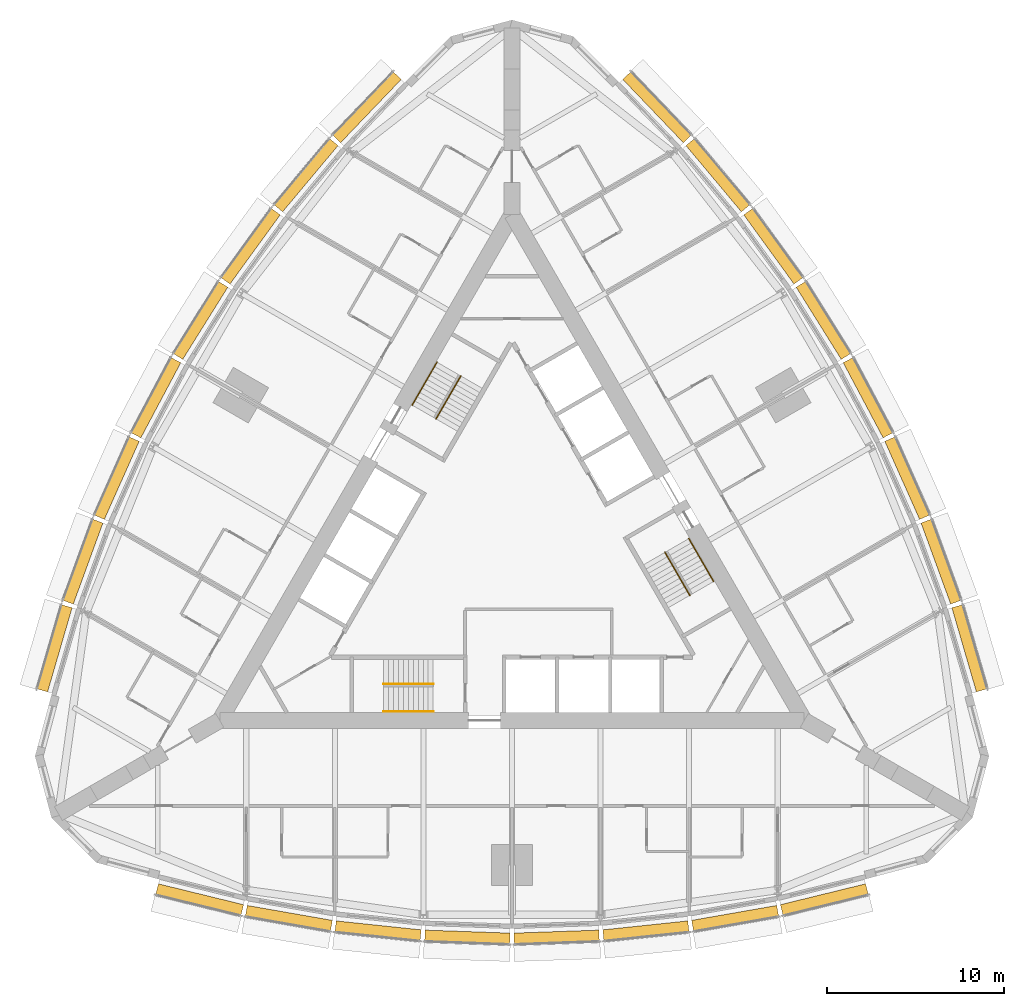
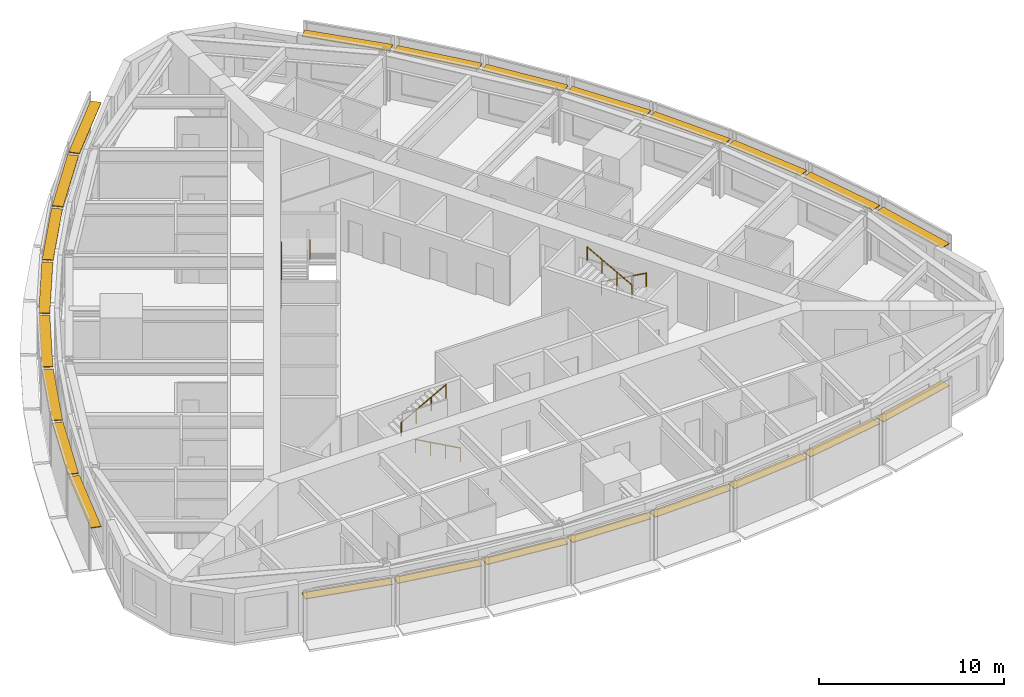
# One storey, part 14 of 14: 24 shading devices, 6 railings.
"""IFC4 building model written with IfcOpenShell, lengths in metres."""

from ifc_helpers import new_model, si_unit, direction, frame, origin, origin_2d, place, context, subcontext, project, spatial, rectangle, circle, extrude, material, type_object, element, save


model = new_model("IFC4")

# Units and contexts
model_context = context("Model", 3, precision=1e-05, world=origin(), true_north=direction((0.0, 1.0)))
body_context = subcontext(model_context, "Body", "Model", "MODEL_VIEW")
ifc_project = project(units=[si_unit("LENGTHUNIT", "METRE"), si_unit("AREAUNIT", "SQUARE_METRE"), si_unit("VOLUMEUNIT", "CUBIC_METRE"), si_unit("PLANEANGLEUNIT", "RADIAN"), si_unit("MASSUNIT", "GRAM", prefix="KILO")], contexts=[model_context])

# Site, building, storey
site_placement = place(None, origin())
site = spatial("IfcSite", under=ifc_project, at=site_placement, CompositionType="ELEMENT")
building_placement = place(site_placement, origin())
building = spatial("IfcBuilding", under=site, at=building_placement, Name="Trikona Tower", CompositionType="ELEMENT")
storey_placement = place(building_placement, frame((0.0, 0.0, 155.5)))
storey = spatial("IfcBuildingStorey", under=building, at=storey_placement, Name="L41", CompositionType="ELEMENT", Elevation=155.5)

# Shading devices
ifc_material_1 = material(Name="Aluminium louvre blade, pale anodised", Category="aluminium")
shading_device_type = type_object("IfcShadingDeviceType", Name="Cavity louvre 600", PredefinedType="USERDEFINED", material=ifc_material_1)
shading_device_1_placement = place(storey_placement, frame((-17.63330078125, -19.631591796875, 2.77490234375), z_axis=(0.0, 0.0, 1.0), x_axis=(0.971274411564, -0.237962218516, 0.0)))
element("IfcShadingDevice", 1, at=shading_device_1_placement, inside=storey, type_object=shading_device_type, Name="Cavity louvre L41-00", ObjectType="LOUVRE", PredefinedType="USERDEFINED", context=body_context, shape_type="SweptSolid", body=[
    extrude(rectangle(XDim=4.947998046875, YDim=0.60009765625, at=origin_2d()), origin(), (0.0, 0.0, 1.0), 0.050048828125),
])
shading_device_2_placement = place(storey_placement, frame((-12.596435546875, -20.689208984375, 2.77490234375), z_axis=(0.0, 0.0, 1.0), x_axis=(0.985030604067, -0.172379549401, 0.0)))
element("IfcShadingDevice", 2, at=shading_device_2_placement, inside=storey, type_object=shading_device_type, Name="Cavity louvre L41-01", ObjectType="LOUVRE", PredefinedType="USERDEFINED", context=body_context, shape_type="SweptSolid", body=[
    extrude(rectangle(XDim=4.8759765625, YDim=0.60009765625, at=origin_2d()), origin(), (0.0, 0.0, 1.0), 0.050048828125),
])
shading_device_3_placement = place(storey_placement, frame((-7.55859375, -21.39453125, 2.77490234375), z_axis=(0.0, 0.0, 1.0), x_axis=(0.994532653854, -0.104426052392, 0.0)))
element("IfcShadingDevice", 3, at=shading_device_3_placement, inside=storey, type_object=shading_device_type, Name="Cavity louvre L41-02", ObjectType="LOUVRE", PredefinedType="USERDEFINED", context=body_context, shape_type="SweptSolid", body=[
    extrude(rectangle(XDim=4.827392578125, YDim=0.60009765625, at=origin_2d()), origin(), (0.0, 0.0, 1.0), 0.050048828125),
])
for number, where, z_axis, x_axis, name in (
    (4, (-2.51953125, -21.747314453125, 2.77490234375), (0.0, 0.0, 1.0), (0.999388082937, -0.034977988567, 0.0), "Cavity louvre L41-03"),
    (5, (2.51953125, -21.747314453125, 2.77490234375), (0.0, 0.0, 1.0), (0.999388082937, 0.034977988567, 0.0), "Cavity louvre L41-04"),
):
    element("IfcShadingDevice", number, at=place(storey_placement, frame(where, z_axis=z_axis, x_axis=x_axis)), inside=storey, type_object=shading_device_type, Name=name, ObjectType="LOUVRE", PredefinedType="USERDEFINED", context=body_context, shape_type="SweptSolid", body=[
        extrude(rectangle(XDim=4.802978515625, YDim=0.60009765625, at=origin_2d()), origin(), (0.0, 0.0, 1.0), 0.050048828125),
    ])
shading_device_4_placement = place(storey_placement, frame((7.55859375, -21.39453125, 2.77490234375), z_axis=(0.0, 0.0, 1.0), x_axis=(0.994532653854, 0.104426052392, 0.0)))
element("IfcShadingDevice", 6, at=shading_device_4_placement, inside=storey, type_object=shading_device_type, Name="Cavity louvre L41-05", ObjectType="LOUVRE", PredefinedType="USERDEFINED", context=body_context, shape_type="SweptSolid", body=[
    extrude(rectangle(XDim=4.827392578125, YDim=0.60009765625, at=origin_2d()), origin(), (0.0, 0.0, 1.0), 0.050048828125),
])
shading_device_5_placement = place(storey_placement, frame((12.596435546875, -20.689208984375, 2.77490234375), z_axis=(0.0, 0.0, 1.0), x_axis=(0.985030604067, 0.172379549401, 0.0)))
element("IfcShadingDevice", 7, at=shading_device_5_placement, inside=storey, type_object=shading_device_type, Name="Cavity louvre L41-06", ObjectType="LOUVRE", PredefinedType="USERDEFINED", context=body_context, shape_type="SweptSolid", body=[
    extrude(rectangle(XDim=4.8759765625, YDim=0.60009765625, at=origin_2d()), origin(), (0.0, 0.0, 1.0), 0.050048828125),
])
shading_device_6_placement = place(storey_placement, frame((17.63330078125, -19.631591796875, 2.77490234375), z_axis=(0.0, 0.0, 1.0), x_axis=(0.971274411564, 0.237962218516, 0.0)))
element("IfcShadingDevice", 8, at=shading_device_6_placement, inside=storey, type_object=shading_device_type, Name="Cavity louvre L41-07", ObjectType="LOUVRE", PredefinedType="USERDEFINED", context=body_context, shape_type="SweptSolid", body=[
    extrude(rectangle(XDim=4.947998046875, YDim=0.60009765625, at=origin_2d()), origin(), (0.0, 0.0, 1.0), 0.050048828125),
])
shading_device_7_placement = place(storey_placement, frame((25.818115234375, -5.455078125, 2.77490234375), z_axis=(0.0, 0.0, 1.0), x_axis=(-0.279554203664, 0.960129911634, 0.0)))
element("IfcShadingDevice", 9, at=shading_device_7_placement, inside=storey, type_object=shading_device_type, Name="Cavity louvre L41-12", ObjectType="LOUVRE", PredefinedType="USERDEFINED", context=body_context, shape_type="SweptSolid", body=[
    extrude(rectangle(XDim=4.94775390625, YDim=0.60009765625, at=origin_2d()), origin(), (0.0, 0.0, 1.0), 0.050048828125),
])
shading_device_8_placement = place(storey_placement, frame((24.2158203125, -0.564208984375, 2.77490234375), z_axis=(0.0, 0.0, 1.0), x_axis=(-0.343220397324, 0.939254895575, 0.0)))
element("IfcShadingDevice", 10, at=shading_device_8_placement, inside=storey, type_object=shading_device_type, Name="Cavity louvre L41-13", ObjectType="LOUVRE", PredefinedType="USERDEFINED", context=body_context, shape_type="SweptSolid", body=[
    extrude(rectangle(XDim=4.8759765625, YDim=0.60009765625, at=origin_2d()), origin(), (0.0, 0.0, 1.0), 0.050048828125),
])
shading_device_9_placement = place(storey_placement, frame((22.3076171875, 4.151611328125, 2.77490234375), z_axis=(0.0, 0.0, 1.0), x_axis=(-0.406843467615, 0.913497888809, 0.0)))
element("IfcShadingDevice", 11, at=shading_device_9_placement, inside=storey, type_object=shading_device_type, Name="Cavity louvre L41-14", ObjectType="LOUVRE", PredefinedType="USERDEFINED", context=body_context, shape_type="SweptSolid", body=[
    extrude(rectangle(XDim=4.827392578125, YDim=0.60009765625, at=origin_2d()), origin(), (0.0, 0.0, 1.0), 0.050048828125),
])
for number, where, z_axis, x_axis, name in (
    (12, (20.093505859375, 8.691650390625, 2.77490234375), (0.0, 0.0, 1.0), (-0.469397591494, 0.882986920118, 0.0), "Cavity louvre L41-15"),
    (13, (17.573974609375, 13.0556640625, 2.77490234375), (0.0, 0.0, 1.0), (-0.529994748414, 0.848000923734, 0.0), "Cavity louvre L41-16"),
):
    element("IfcShadingDevice", number, at=place(storey_placement, frame(where, z_axis=z_axis, x_axis=x_axis)), inside=storey, type_object=shading_device_type, Name=name, ObjectType="LOUVRE", PredefinedType="USERDEFINED", context=body_context, shape_type="SweptSolid", body=[
        extrude(rectangle(XDim=4.802978515625, YDim=0.60009765625, at=origin_2d()), origin(), (0.0, 0.0, 1.0), 0.050048828125),
    ])
shading_device_10_placement = place(storey_placement, frame((14.7490234375, 17.2431640625, 2.77490234375), z_axis=(0.0, 0.0, 1.0), x_axis=(-0.587686407834, 0.809088799853, 0.0)))
element("IfcShadingDevice", 14, at=shading_device_10_placement, inside=storey, type_object=shading_device_type, Name="Cavity louvre L41-17", ObjectType="LOUVRE", PredefinedType="USERDEFINED", context=body_context, shape_type="SweptSolid", body=[
    extrude(rectangle(XDim=4.827392578125, YDim=0.60009765625, at=origin_2d()), origin(), (0.0, 0.0, 1.0), 0.050048828125),
])
shading_device_11_placement = place(storey_placement, frame((11.619140625, 21.253662109375, 2.77490234375), z_axis=(0.0, 0.0, 1.0), x_axis=(-0.641807063101, 0.766866151133, 0.0)))
element("IfcShadingDevice", 15, at=shading_device_11_placement, inside=storey, type_object=shading_device_type, Name="Cavity louvre L41-18", ObjectType="LOUVRE", PredefinedType="USERDEFINED", context=body_context, shape_type="SweptSolid", body=[
    extrude(rectangle(XDim=4.8759765625, YDim=0.60009765625, at=origin_2d()), origin(), (0.0, 0.0, 1.0), 0.050048828125),
])
for number, where, z_axis, x_axis, name in (
    (16, (8.184814453125, 25.086669921875, 2.77490234375), (0.0, 0.0, 1.0), (-0.691723573819, 0.722162376078, 0.0), "Cavity louvre L41-19"),
    (17, (-8.184814453125, 25.086669921875, 2.77490234375), (0.0, 0.0, 1.0), (-0.691723573819, -0.722162376078, 0.0), "Cavity louvre L41-24"),
):
    element("IfcShadingDevice", number, at=place(storey_placement, frame(where, z_axis=z_axis, x_axis=x_axis)), inside=storey, type_object=shading_device_type, Name=name, ObjectType="LOUVRE", PredefinedType="USERDEFINED", context=body_context, shape_type="SweptSolid", body=[
        extrude(rectangle(XDim=4.947998046875, YDim=0.60009765625, at=origin_2d()), origin(), (0.0, 0.0, 1.0), 0.050048828125),
    ])
shading_device_12_placement = place(storey_placement, frame((-11.619140625, 21.253662109375, 2.77490234375), z_axis=(0.0, 0.0, 1.0), x_axis=(-0.641807063101, -0.766866151133, 0.0)))
element("IfcShadingDevice", 18, at=shading_device_12_placement, inside=storey, type_object=shading_device_type, Name="Cavity louvre L41-25", ObjectType="LOUVRE", PredefinedType="USERDEFINED", context=body_context, shape_type="SweptSolid", body=[
    extrude(rectangle(XDim=4.8759765625, YDim=0.60009765625, at=origin_2d()), origin(), (0.0, 0.0, 1.0), 0.050048828125),
])
shading_device_13_placement = place(storey_placement, frame((-14.7490234375, 17.2431640625, 2.77490234375), z_axis=(0.0, 0.0, 1.0), x_axis=(-0.587686407834, -0.809088799853, 0.0)))
element("IfcShadingDevice", 19, at=shading_device_13_placement, inside=storey, type_object=shading_device_type, Name="Cavity louvre L41-26", ObjectType="LOUVRE", PredefinedType="USERDEFINED", context=body_context, shape_type="SweptSolid", body=[
    extrude(rectangle(XDim=4.827392578125, YDim=0.60009765625, at=origin_2d()), origin(), (0.0, 0.0, 1.0), 0.050048828125),
])
for number, where, z_axis, x_axis, name in (
    (20, (-17.573974609375, 13.0556640625, 2.77490234375), (0.0, 0.0, 1.0), (-0.529994748414, -0.848000923734, 0.0), "Cavity louvre L41-27"),
    (21, (-20.093505859375, 8.691650390625, 2.77490234375), (0.0, 0.0, 1.0), (-0.469397591494, -0.882986920118, 0.0), "Cavity louvre L41-28"),
):
    element("IfcShadingDevice", number, at=place(storey_placement, frame(where, z_axis=z_axis, x_axis=x_axis)), inside=storey, type_object=shading_device_type, Name=name, ObjectType="LOUVRE", PredefinedType="USERDEFINED", context=body_context, shape_type="SweptSolid", body=[
        extrude(rectangle(XDim=4.802978515625, YDim=0.60009765625, at=origin_2d()), origin(), (0.0, 0.0, 1.0), 0.050048828125),
    ])
shading_device_14_placement = place(storey_placement, frame((-22.3076171875, 4.151611328125, 2.77490234375), z_axis=(0.0, 0.0, 1.0), x_axis=(-0.406843467615, -0.913497888809, 0.0)))
element("IfcShadingDevice", 22, at=shading_device_14_placement, inside=storey, type_object=shading_device_type, Name="Cavity louvre L41-29", ObjectType="LOUVRE", PredefinedType="USERDEFINED", context=body_context, shape_type="SweptSolid", body=[
    extrude(rectangle(XDim=4.827392578125, YDim=0.60009765625, at=origin_2d()), origin(), (0.0, 0.0, 1.0), 0.050048828125),
])
shading_device_15_placement = place(storey_placement, frame((-24.2158203125, -0.564208984375, 2.77490234375), z_axis=(0.0, 0.0, 1.0), x_axis=(-0.343220397324, -0.939254895575, 0.0)))
element("IfcShadingDevice", 23, at=shading_device_15_placement, inside=storey, type_object=shading_device_type, Name="Cavity louvre L41-30", ObjectType="LOUVRE", PredefinedType="USERDEFINED", context=body_context, shape_type="SweptSolid", body=[
    extrude(rectangle(XDim=4.8759765625, YDim=0.60009765625, at=origin_2d()), origin(), (0.0, 0.0, 1.0), 0.050048828125),
])
shading_device_16_placement = place(storey_placement, frame((-25.818115234375, -5.455078125, 2.77490234375), z_axis=(0.0, 0.0, 1.0), x_axis=(-0.279554203664, -0.960129911634, 0.0)))
element("IfcShadingDevice", 24, at=shading_device_16_placement, inside=storey, type_object=shading_device_type, Name="Cavity louvre L41-31", ObjectType="LOUVRE", PredefinedType="USERDEFINED", context=body_context, shape_type="SweptSolid", body=[
    extrude(rectangle(XDim=4.94775390625, YDim=0.60009765625, at=origin_2d()), origin(), (0.0, 0.0, 1.0), 0.050048828125),
])

# Railings
ifc_material_2 = material(Name="Stainless steel handrail", Category="steel")
railing_type = type_object("IfcRailingType", Name="Stair handrail", PredefinedType="HANDRAIL", material=ifc_material_2)
railing_1_placement = place(storey_placement, frame((-4.449951171875, -9.016357421875, 0.154541015625)))
element("IfcRailing", 25, at=railing_1_placement, inside=storey, type_object=railing_type, Name="Stair handrail A L41 1", PredefinedType="HANDRAIL", context=body_context, shape_type="SweptSolid", body=[
    extrude(circle(Radius=0.02392578125, at=origin_2d()), frame((0.0, 0.0, 0.8759765625), z_axis=(-0.875504190374, 0.0, 0.483210526207), x_axis=(0.0, -1.0, 0.0)), (0.0, 0.0, 1.0), 3.1982421875),
    extrude(circle(Radius=0.02099609375, at=origin_2d()), origin(), (0.0, 0.0, 1.0), 0.851806640625),
    extrude(circle(Radius=0.02099609375, at=origin_2d()), frame((-0.933349609375, 0.0, 0.51513671875)), (0.0, 0.0, 1.0), 0.851806640625),
    extrude(circle(Radius=0.02099609375, at=origin_2d()), frame((-1.86669921875, 0.0, 1.0302734375)), (0.0, 0.0, 1.0), 0.851806640625),
    extrude(circle(Radius=0.02099609375, at=origin_2d()), frame((-2.800048828125, 0.0, 1.54541015625)), (0.0, 0.0, 1.0), 0.851806640625),
])
railing_2_placement = place(storey_placement, frame((-7.25, -7.46630859375, 1.8544921875)))
element("IfcRailing", 26, at=railing_2_placement, inside=storey, type_object=railing_type, Name="Stair handrail A L41 2", PredefinedType="HANDRAIL", context=body_context, shape_type="SweptSolid", body=[
    extrude(circle(Radius=0.02392578125, at=origin_2d()), frame((0.0, 0.0, 0.8759765625), z_axis=(0.875504190374, 0.0, 0.483210526207), x_axis=(0.0, 1.0, 0.0)), (0.0, 0.0, 1.0), 3.1982421875),
    extrude(circle(Radius=0.02099609375, at=origin_2d()), origin(), (0.0, 0.0, 1.0), 0.851806640625),
    extrude(circle(Radius=0.02099609375, at=origin_2d()), frame((0.933349609375, 0.0, 0.51513671875)), (0.0, 0.0, 1.0), 0.851806640625),
    extrude(circle(Radius=0.02099609375, at=origin_2d()), frame((1.86669921875, 0.0, 1.0302734375)), (0.0, 0.0, 1.0), 0.851806640625),
    extrude(circle(Radius=0.02099609375, at=origin_2d()), frame((2.800048828125, 0.0, 1.54541015625)), (0.0, 0.0, 1.0), 0.851806640625),
])
railing_3_placement = place(storey_placement, frame((9.9833984375, 0.740966796875, 0.154541015625)))
element("IfcRailing", 27, at=railing_3_placement, inside=storey, type_object=railing_type, Name="Stair handrail B L41 1", PredefinedType="HANDRAIL", context=body_context, shape_type="SweptSolid", body=[
    extrude(circle(Radius=0.02392578125, at=origin_2d()), frame((0.0, 0.0, 0.8759765625), z_axis=(0.437707188162, -0.758239536103, 0.483203087036), x_axis=(0.866056369097, 0.49994636267, 0.0)), (0.0, 0.0, 1.0), 3.1982421875),
    extrude(circle(Radius=0.02099609375, at=origin_2d()), origin(), (0.0, 0.0, 1.0), 0.851806640625),
    extrude(circle(Radius=0.02099609375, at=origin_2d()), frame((0.466552734375, -0.808349609375, 0.51513671875)), (0.0, 0.0, 1.0), 0.851806640625),
    extrude(circle(Radius=0.02099609375, at=origin_2d()), frame((0.933349609375, -1.61669921875, 1.0302734375)), (0.0, 0.0, 1.0), 0.851806640625),
    extrude(circle(Radius=0.02099609375, at=origin_2d()), frame((1.39990234375, -2.425048828125, 1.54541015625)), (0.0, 0.0, 1.0), 0.851806640625),
])
railing_4_placement = place(storey_placement, frame((10.041015625, -2.458984375, 1.8544921875)))
element("IfcRailing", 28, at=railing_4_placement, inside=storey, type_object=railing_type, Name="Stair handrail B L41 2", PredefinedType="HANDRAIL", context=body_context, shape_type="SweptSolid", body=[
    extrude(circle(Radius=0.02392578125, at=origin_2d()), frame((0.0, 0.0, 0.8759765625), z_axis=(-0.437707188162, 0.758239536103, 0.483203087036), x_axis=(-0.866056369097, -0.49994636267, 0.0)), (0.0, 0.0, 1.0), 3.1982421875),
    extrude(circle(Radius=0.02099609375, at=origin_2d()), origin(), (0.0, 0.0, 1.0), 0.851806640625),
    extrude(circle(Radius=0.02099609375, at=origin_2d()), frame((-0.466552734375, 0.808349609375, 0.51513671875)), (0.0, 0.0, 1.0), 0.851806640625),
    extrude(circle(Radius=0.02099609375, at=origin_2d()), frame((-0.933349609375, 1.61669921875, 1.0302734375)), (0.0, 0.0, 1.0), 0.851806640625),
    extrude(circle(Radius=0.02099609375, at=origin_2d()), frame((-1.39990234375, 2.425048828125, 1.54541015625)), (0.0, 0.0, 1.0), 0.851806640625),
])
railing_5_placement = place(storey_placement, frame((-5.63330078125, 8.275390625, 0.154541015625)))
element("IfcRailing", 29, at=railing_5_placement, inside=storey, type_object=railing_type, Name="Stair handrail C L41 1", PredefinedType="HANDRAIL", context=body_context, shape_type="SweptSolid", body=[
    extrude(circle(Radius=0.02392578125, at=origin_2d()), frame((0.0, 0.0, 0.8759765625), z_axis=(0.437732523806, 0.758207085183, 0.483231056102), x_axis=(-0.866034573852, 0.49998411664, 0.0)), (0.0, 0.0, 1.0), 3.197998046875),
    extrude(circle(Radius=0.02099609375, at=origin_2d()), origin(), (0.0, 0.0, 1.0), 0.851806640625),
    extrude(circle(Radius=0.02099609375, at=origin_2d()), frame((0.466552734375, 0.808349609375, 0.51513671875)), (0.0, 0.0, 1.0), 0.851806640625),
    extrude(circle(Radius=0.02099609375, at=origin_2d()), frame((0.933349609375, 1.616455078125, 1.0302734375)), (0.0, 0.0, 1.0), 0.851806640625),
    extrude(circle(Radius=0.02099609375, at=origin_2d()), frame((1.39990234375, 2.4248046875, 1.54541015625)), (0.0, 0.0, 1.0), 0.851806640625),
])
railing_6_placement = place(storey_placement, frame((-2.89111328125, 9.92529296875, 1.8544921875)))
element("IfcRailing", 30, at=railing_6_placement, inside=storey, type_object=railing_type, Name="Stair handrail C L41 2", PredefinedType="HANDRAIL", context=body_context, shape_type="SweptSolid", body=[
    extrude(circle(Radius=0.02392578125, at=origin_2d()), frame((0.0, 0.0, 0.8759765625), z_axis=(-0.437707188162, -0.758239536103, 0.483203087036), x_axis=(0.866056369097, -0.49994636267, 0.0)), (0.0, 0.0, 1.0), 3.1982421875),
    extrude(circle(Radius=0.02099609375, at=origin_2d()), origin(), (0.0, 0.0, 1.0), 0.851806640625),
    extrude(circle(Radius=0.02099609375, at=origin_2d()), frame((-0.466552734375, -0.808349609375, 0.51513671875)), (0.0, 0.0, 1.0), 0.851806640625),
    extrude(circle(Radius=0.02099609375, at=origin_2d()), frame((-0.933349609375, -1.61669921875, 1.0302734375)), (0.0, 0.0, 1.0), 0.851806640625),
    extrude(circle(Radius=0.02099609375, at=origin_2d()), frame((-1.39990234375, -2.425048828125, 1.54541015625)), (0.0, 0.0, 1.0), 0.851806640625),
])

save(model, "model.ifc")
